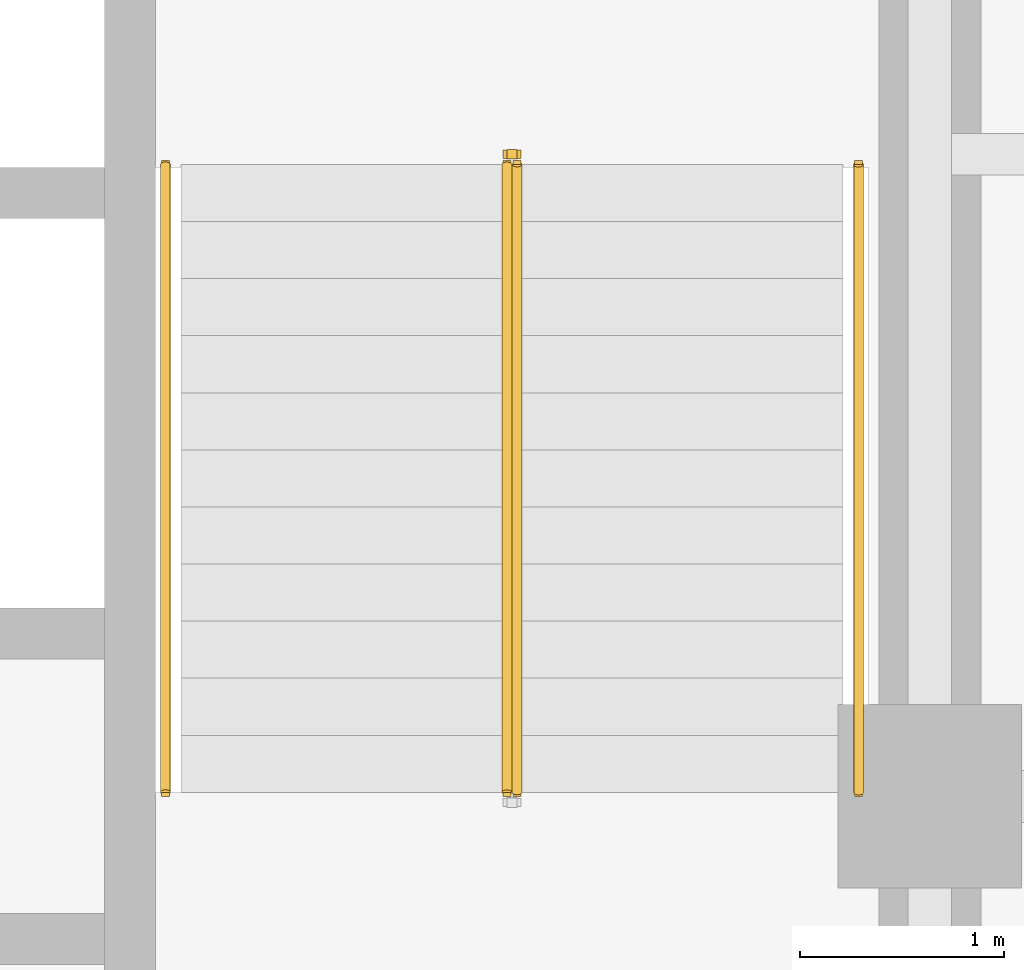
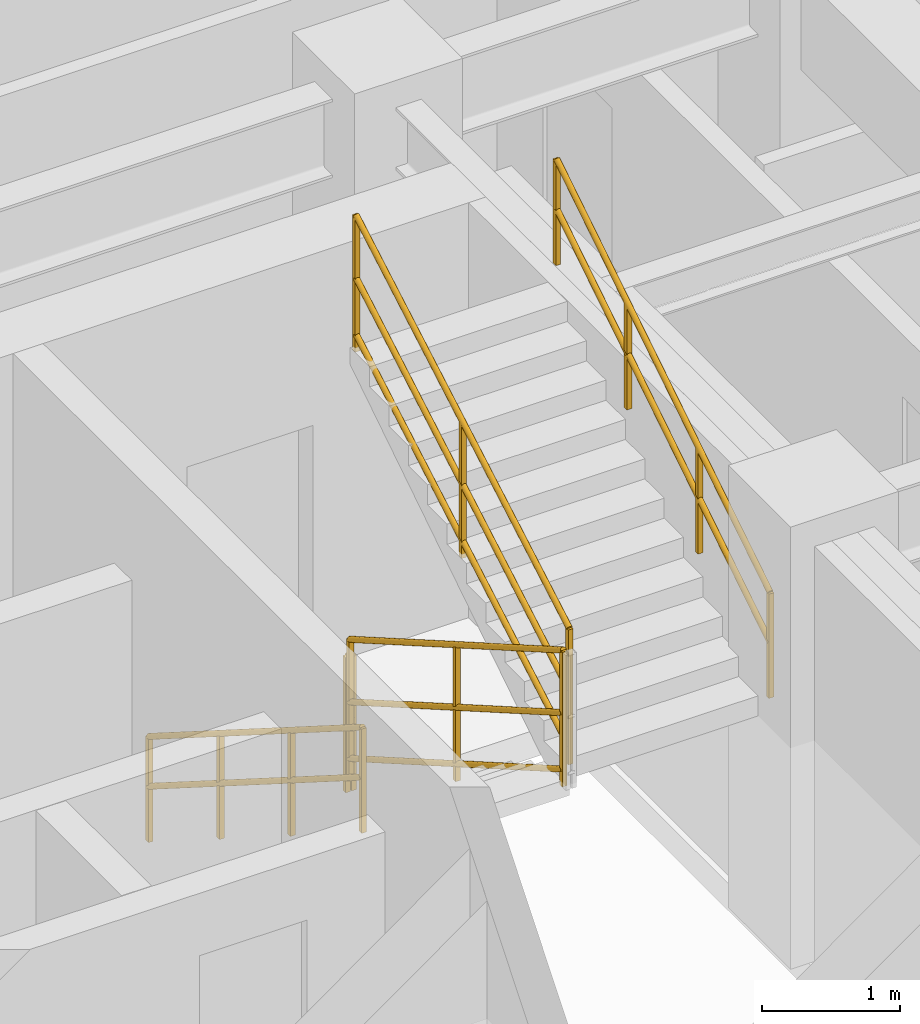
# One storey, part 10 of 11: 5 railings.
"""IFC4 building model written with IfcOpenShell, lengths in metres."""

from ifc_helpers import new_model, entity, si_unit, converted_unit, direction, frame, origin_with_axes, origin_2d_with_axis, place, context, subcontext, project, spatial, rectangle, circle, extrude, material, type_object, element, save


model = new_model("IFC4")

# Units and contexts
model_context = context("Model", 3, precision=1e-05, world=origin_with_axes(), true_north=direction((0.0, 1.0)))
body_context = subcontext(model_context, "Body", "Model", "MODEL_VIEW")
ifc_project = project(units=[si_unit("LENGTHUNIT", "METRE"), si_unit("AREAUNIT", "SQUARE_METRE"), si_unit("VOLUMEUNIT", "CUBIC_METRE"), converted_unit("PLANEANGLEUNIT", "DEGREE", entity("IfcPlaneAngleMeasure", 0.017453292519943295), si_unit("PLANEANGLEUNIT", "RADIAN"), dimensions=[0, 0, 0, 0, 0, 0, 0]), si_unit("MASSUNIT", "GRAM", prefix="KILO"), si_unit("THERMODYNAMICTEMPERATUREUNIT", "KELVIN")], contexts=[model_context])

# Site, building, storey
site_placement = place(None, origin_with_axes())
site = spatial("IfcSite", under=ifc_project, at=site_placement, CompositionType="ELEMENT")
building_placement = place(site_placement, origin_with_axes())
building = spatial("IfcBuilding", under=site, at=building_placement, Name="Varnlund Millrace Tower", CompositionType="ELEMENT")
storey_placement = place(building_placement, frame((0.0, 0.0, 204.3), z_axis=(0.0, 0.0, 1.0), x_axis=(1.0, 0.0, 0.0)))
storey = spatial("IfcBuildingStorey", under=building, at=storey_placement, Name="L50", CompositionType="ELEMENT", Elevation=204.3)

# Railings
ifc_material_1 = material(Name="Painted steel stair well balustrade guard", Category="steel")
railing_type_1 = type_object("IfcRailingType", Name="Type-StairGuard-1150", PredefinedType="GUARDRAIL", material=ifc_material_1)
railing_1_placement = place(storey_placement, frame((0.0, 0.0, -204.3), z_axis=(0.0, 0.0, 1.0), x_axis=(1.0, 0.0, 0.0)))
element("IfcRailing", 1, at=railing_1_placement, inside=storey, type_object=railing_type_1, Name="Type-StairGuard-1150", PredefinedType="GUARDRAIL", context=body_context, shape_type="SweptSolid", body=[
    extrude(circle(Radius=0.024, at=origin_2d_with_axis()), frame((45.975, 21.1, 205.627273), z_axis=(0.0, -0.866696, 0.498836), x_axis=(1.0, 0.0, 0.0)), (0.0, 0.0, 1.0), 3.553725),
    extrude(circle(Radius=0.024, at=origin_2d_with_axis()), frame((45.975, 21.1, 204.577273), z_axis=(0.0, -0.866696, 0.498836), x_axis=(1.0, 0.0, 0.0)), (0.0, 0.0, 1.0), 3.553725),
    extrude(circle(Radius=0.024, at=origin_2d_with_axis()), frame((45.975, 21.1, 205.075273), z_axis=(0.0, -0.866696, 0.498836), x_axis=(1.0, 0.0, 0.0)), (0.0, 0.0, 1.0), 3.553725),
    extrude(rectangle(XDim=0.04, YDim=0.04, at=origin_2d_with_axis()), frame((45.975, 21.1, 204.437273), z_axis=(0.0, 0.0, 1.0), x_axis=(1.0, 0.0, 0.0)), (0.0, 0.0, 1.0), 1.19),
    extrude(rectangle(XDim=0.04, YDim=0.04, at=origin_2d_with_axis()), frame((45.975, 19.56, 205.323636), z_axis=(0.0, 0.0, 1.0), x_axis=(1.0, 0.0, 0.0)), (0.0, 0.0, 1.0), 1.19),
    extrude(rectangle(XDim=0.04, YDim=0.04, at=origin_2d_with_axis()), frame((45.975, 18.02, 206.21), z_axis=(0.0, 0.0, 1.0), x_axis=(1.0, 0.0, 0.0)), (0.0, 0.0, 1.0), 1.19),
])
railing_2_placement = place(storey_placement, frame((0.0, 0.0, -204.3), z_axis=(0.0, 0.0, 1.0), x_axis=(1.0, 0.0, 0.0)))
element("IfcRailing", 2, at=railing_2_placement, inside=storey, type_object=railing_type_1, Name="Type-StairGuard-1150", PredefinedType="GUARDRAIL", context=body_context, shape_type="SweptSolid", body=[
    extrude(circle(Radius=0.024, at=origin_2d_with_axis()), frame((46.025, 18.02, 207.577273), z_axis=(0.0, 0.866696, 0.498836), x_axis=(-1.0, 0.0, 0.0)), (0.0, 0.0, 1.0), 3.553725),
    extrude(circle(Radius=0.024, at=origin_2d_with_axis()), frame((46.025, 18.02, 206.527273), z_axis=(0.0, 0.866696, 0.498836), x_axis=(-1.0, 0.0, 0.0)), (0.0, 0.0, 1.0), 3.553725),
    extrude(circle(Radius=0.024, at=origin_2d_with_axis()), frame((46.025, 18.02, 207.025273), z_axis=(0.0, 0.866696, 0.498836), x_axis=(-1.0, 0.0, 0.0)), (0.0, 0.0, 1.0), 3.553725),
    extrude(rectangle(XDim=0.04, YDim=0.04, at=origin_2d_with_axis()), frame((46.025, 18.02, 206.387273), z_axis=(0.0, 0.0, 1.0), x_axis=(1.0, 0.0, 0.0)), (0.0, 0.0, 1.0), 1.19),
    extrude(rectangle(XDim=0.04, YDim=0.04, at=origin_2d_with_axis()), frame((46.025, 19.56, 207.273637), z_axis=(0.0, 0.0, 1.0), x_axis=(1.0, 0.0, 0.0)), (0.0, 0.0, 1.0), 1.19),
    extrude(rectangle(XDim=0.04, YDim=0.04, at=origin_2d_with_axis()), frame((46.025, 21.1, 208.16), z_axis=(0.0, 0.0, 1.0), x_axis=(1.0, 0.0, 0.0)), (0.0, 0.0, 1.0), 1.19),
])
railing_3_placement = place(storey_placement, frame((0.0, 0.0, -204.3), z_axis=(0.0, 0.0, 1.0), x_axis=(1.0, 0.0, 0.0)))
element("IfcRailing", 3, at=railing_3_placement, inside=storey, type_object=railing_type_1, Name="Type-StairGuard-1150", PredefinedType="GUARDRAIL", context=body_context, shape_type="SweptSolid", body=[
    extrude(circle(Radius=0.024, at=origin_2d_with_axis()), frame((46.025, 21.15, 205.45), z_axis=(-1.0, 0.0, 0.0), x_axis=(0.0, -1.0, 0.0)), (0.0, 0.0, 1.0), 0.05),
    extrude(circle(Radius=0.024, at=origin_2d_with_axis()), frame((46.025, 21.15, 204.4), z_axis=(-1.0, 0.0, 0.0), x_axis=(0.0, -1.0, 0.0)), (0.0, 0.0, 1.0), 0.05),
    extrude(circle(Radius=0.024, at=origin_2d_with_axis()), frame((46.025, 21.15, 204.898), z_axis=(-1.0, 0.0, 0.0), x_axis=(0.0, -1.0, 0.0)), (0.0, 0.0, 1.0), 0.05),
    extrude(rectangle(XDim=0.04, YDim=0.04, at=origin_2d_with_axis()), frame((46.025, 21.15, 204.26), z_axis=(0.0, 0.0, 1.0), x_axis=(1.0, 0.0, 0.0)), (0.0, 0.0, 1.0), 1.19),
    extrude(rectangle(XDim=0.04, YDim=0.04, at=origin_2d_with_axis()), frame((45.975, 21.15, 204.26), z_axis=(0.0, 0.0, 1.0), x_axis=(1.0, 0.0, 0.0)), (0.0, 0.0, 1.0), 1.19),
])
ifc_material_2 = material(Name="Brushed architectural bronze stair handrail", Category="aluminium")
railing_type_2 = type_object("IfcRailingType", Name="Type-StairHandrail-900", PredefinedType="HANDRAIL", material=ifc_material_2)
railing_4_placement = place(storey_placement, frame((0.0, 0.0, -204.3), z_axis=(0.0, 0.0, 1.0), x_axis=(1.0, 0.0, 0.0)))
element("IfcRailing", 4, at=railing_4_placement, inside=storey, type_object=railing_type_2, Name="Type-StairHandrail-900", PredefinedType="HANDRAIL", context=body_context, shape_type="SweptSolid", body=[
    extrude(circle(Radius=0.024, at=origin_2d_with_axis()), frame((44.3, 21.1, 205.356995), z_axis=(0.0, -0.844902, 0.534922), x_axis=(1.0, 0.0, 0.0)), (0.0, 0.0, 1.0), 3.645394),
    extrude(circle(Radius=0.024, at=origin_2d_with_axis()), frame((44.3, 21.1, 204.917134), z_axis=(0.0, -0.844902, 0.534922), x_axis=(1.0, 0.0, 0.0)), (0.0, 0.0, 1.0), 3.645394),
    extrude(rectangle(XDim=0.04, YDim=0.04, at=origin_2d_with_axis()), frame((44.3, 21.1, 204.437273), z_axis=(0.0, 0.0, 1.0), x_axis=(1.0, 0.0, 0.0)), (0.0, 0.0, 1.0), 0.919722),
    extrude(rectangle(XDim=0.04, YDim=0.04, at=origin_2d_with_axis()), frame((44.3, 20.073333, 205.087273), z_axis=(0.0, 0.0, 1.0), x_axis=(1.0, 0.0, 0.0)), (0.0, 0.0, 1.0), 0.919722),
    extrude(rectangle(XDim=0.04, YDim=0.04, at=origin_2d_with_axis()), frame((44.3, 19.046667, 205.737273), z_axis=(0.0, 0.0, 1.0), x_axis=(1.0, 0.0, 0.0)), (0.0, 0.0, 1.0), 0.919722),
    extrude(rectangle(XDim=0.04, YDim=0.04, at=origin_2d_with_axis()), frame((44.3, 18.02, 206.387273), z_axis=(0.0, 0.0, 1.0), x_axis=(1.0, 0.0, 0.0)), (0.0, 0.0, 1.0), 0.919722),
])
railing_5_placement = place(storey_placement, frame((0.0, 0.0, -204.3), z_axis=(0.0, 0.0, 1.0), x_axis=(1.0, 0.0, 0.0)))
element("IfcRailing", 5, at=railing_5_placement, inside=storey, type_object=railing_type_2, Name="Type-StairHandrail-900", PredefinedType="HANDRAIL", context=body_context, shape_type="SweptSolid", body=[
    extrude(circle(Radius=0.024, at=origin_2d_with_axis()), frame((47.7, 18.02, 207.306995), z_axis=(0.0, 0.844902, 0.534922), x_axis=(-1.0, 0.0, 0.0)), (0.0, 0.0, 1.0), 3.645394),
    extrude(circle(Radius=0.024, at=origin_2d_with_axis()), frame((47.7, 18.02, 206.867134), z_axis=(0.0, 0.844902, 0.534922), x_axis=(-1.0, 0.0, 0.0)), (0.0, 0.0, 1.0), 3.645394),
    extrude(rectangle(XDim=0.04, YDim=0.04, at=origin_2d_with_axis()), frame((47.7, 18.02, 206.387273), z_axis=(0.0, 0.0, 1.0), x_axis=(1.0, 0.0, 0.0)), (0.0, 0.0, 1.0), 0.919722),
    extrude(rectangle(XDim=0.04, YDim=0.04, at=origin_2d_with_axis()), frame((47.7, 19.046667, 207.037273), z_axis=(0.0, 0.0, 1.0), x_axis=(1.0, 0.0, 0.0)), (0.0, 0.0, 1.0), 0.919722),
    extrude(rectangle(XDim=0.04, YDim=0.04, at=origin_2d_with_axis()), frame((47.7, 20.073333, 207.687273), z_axis=(0.0, 0.0, 1.0), x_axis=(1.0, 0.0, 0.0)), (0.0, 0.0, 1.0), 0.919722),
    extrude(rectangle(XDim=0.04, YDim=0.04, at=origin_2d_with_axis()), frame((47.7, 21.1, 208.337273), z_axis=(0.0, 0.0, 1.0), x_axis=(1.0, 0.0, 0.0)), (0.0, 0.0, 1.0), 0.919722),
])

save(model, "model.ifc")
